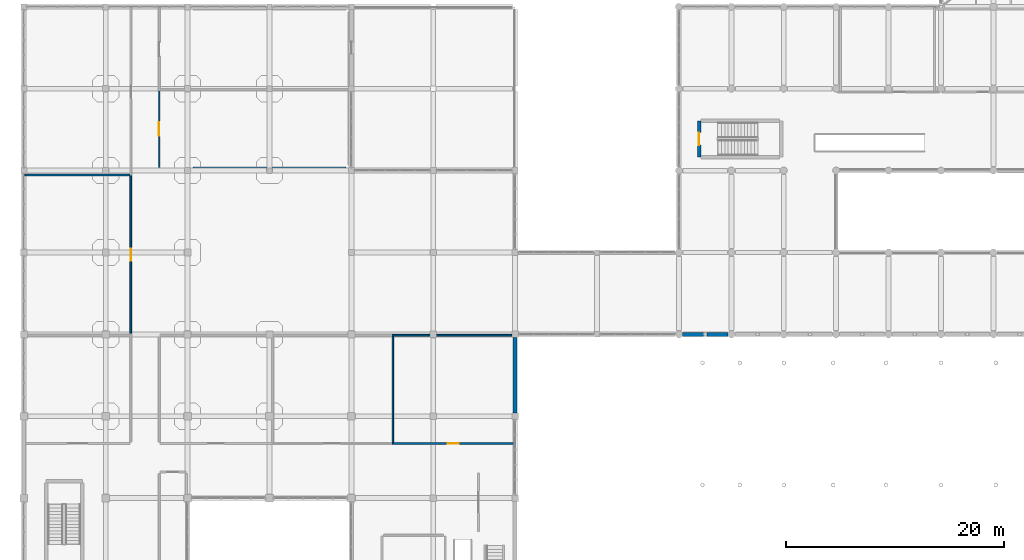
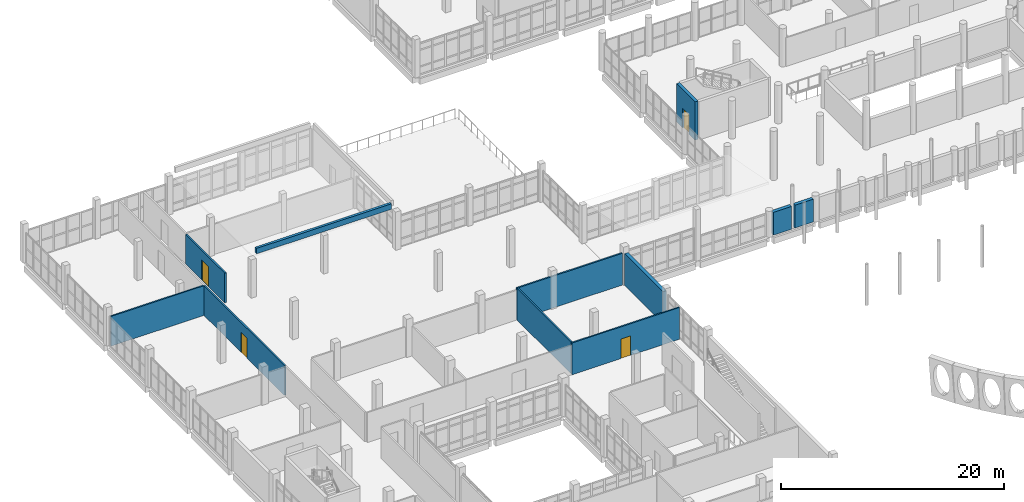
# One storey, part 140 of 164: 11 walls, 4 doors, 4 openings.
"""IFC4 building model written with IfcOpenShell, lengths in metres."""

from ifc_helpers import new_model, si_unit, direction, frame, frame_2d, origin, place, context, subcontext, project, spatial, rectangle, extrude, material, layer, layer_set, type_object, element, fill, save


model = new_model("IFC4")

# Units and contexts
model_context = context("Model", 3, precision=1e-05, world=origin(), true_north=direction((0.0, 1.0)))
body_context = subcontext(model_context, "Body", "Model", "MODEL_VIEW")
ifc_project = project(units=[si_unit("LENGTHUNIT", "METRE"), si_unit("AREAUNIT", "SQUARE_METRE"), si_unit("VOLUMEUNIT", "CUBIC_METRE"), si_unit("PLANEANGLEUNIT", "RADIAN"), si_unit("MASSUNIT", "GRAM", prefix="KILO")], contexts=[model_context])

# Site, building, storey
site_placement = place(None, origin())
site = spatial("IfcSite", under=ifc_project, at=site_placement, CompositionType="ELEMENT")
building_placement = place(site_placement, origin())
building = spatial("IfcBuilding", under=site, at=building_placement, Name="Mawjan Specialist Oncology Clinic", CompositionType="ELEMENT")
storey_placement = place(building_placement, frame((0.0, 0.0, 5.0)))
storey = spatial("IfcBuildingStorey", under=building, at=storey_placement, Name="L01", CompositionType="ELEMENT", Elevation=5.0)

# Walls
ifc_material_1 = material(Name="Precast concrete C40/50", Category="concrete")
ifc_layer_1 = layer(ifc_material_1, 0.35009765625, Name="Precast concrete C40/50", Category="concrete")
ifc_layer_set_1 = layer_set([ifc_layer_1], Name="Precast concrete C40/50")
wall_type_1 = type_object("IfcWallType", Name="EW-350", PredefinedType="SOLIDWALL", material=ifc_layer_set_1)
for number, where, z_axis, x_axis, name in (
    (1, (64.47509765625, 45.800048828125, 0.0), (0.0, 0.0, 1.0), (-1.0, 0.0, 0.0), "L01 Coral-Limestone Exterior Wall EW-L01-109"),
    (2, (62.238037109375, 45.800048828125, 0.0), (0.0, 0.0, 1.0), (-1.0, 0.0, 0.0), "L01 Coral-Limestone Exterior Wall EW-L01-110"),
):
    element("IfcWall", number, at=place(storey_placement, frame(where, z_axis=z_axis, x_axis=x_axis)), inside=storey, type_object=wall_type_1, Name=name, PredefinedType="SOLIDWALL", context=body_context, shape_type="SweptSolid", body=[
        extrude(rectangle(XDim=1.9130859375, YDim=0.35009765625, at=frame_2d((0.95654296875, 0.0))), origin(), (0.0, 0.0, 1.0), 2.5),
    ])
wall_1_placement = place(storey_placement, frame((45.0, 45.5, 0.0), z_axis=(0.0, 0.0, 1.0), x_axis=(0.0, -1.0, 0.0)))
element("IfcWall", 3, at=wall_1_placement, inside=storey, type_object=wall_type_1, Name="L01 Coral-Limestone Exterior Wall EW-L01-111", PredefinedType="SOLIDWALL", context=body_context, shape_type="SweptSolid", body=[
    extrude(rectangle(XDim=6.89990234375, YDim=0.35009765625, at=frame_2d((3.449951171875, 0.0))), origin(), (0.0, 0.0, 1.0), 3.485107421875),
])
ifc_material_2 = material(Name="Precast concrete C40/50", Category="concrete")
ifc_layer_2 = layer(ifc_material_2, 0.260009765625, Name="Precast concrete C40/50", Category="concrete")
ifc_layer_set_2 = layer_set([ifc_layer_2], Name="Precast concrete C40/50")
wall_type_2 = type_object("IfcWallType", Name="PAR-260", PredefinedType="PARAPET", material=ifc_layer_set_2)
wall_2_placement = place(storey_placement, frame((29.52001953125, 61.0, 4.39990234375), z_axis=(0.0, 0.0, 1.0), x_axis=(-1.0, 0.0, 0.0)))
element("IfcWall", 4, at=wall_2_placement, inside=storey, type_object=wall_type_2, Name="L01 Roof Parapet Upstand 13", PredefinedType="PARAPET", context=body_context, shape_type="SweptSolid", body=[
    extrude(rectangle(XDim=14.02001953125, YDim=0.260009765625, at=frame_2d((7.010009765625, 0.0))), origin(), (0.0, 0.0, 1.0), 0.60009765625),
])

# Wall, opening, door
ifc_material_3 = material(Name="Concrete C45/55", Category="concrete")
ifc_layer_3 = layer(ifc_material_3, 0.320068359375, Name="Concrete C45/55", Category="concrete")
ifc_layer_set_3 = layer_set([ifc_layer_3], Name="Concrete C45/55")
wall_type_3 = type_object("IfcWallType", Name="SW-350", PredefinedType="SHEAR", material=ifc_layer_set_3)
wall_3_placement = place(storey_placement, frame((61.840087890625, 65.360107421875, 0.0), z_axis=(0.0, 0.0, 1.0), x_axis=(0.0, -1.0, 0.0)))
wall_3 = element("IfcWall", 5, at=wall_3_placement, inside=storey, type_object=wall_type_3, Name="L01 Core K7 Stair Shear Wall 4", PredefinedType="SHEAR", context=body_context, shape_type="SweptSolid", body=[
    extrude(rectangle(XDim=3.320068359375, YDim=0.320068359375, at=frame_2d((1.66015625, 0.0))), origin(), (0.0, 0.0, 1.0), 4.199951171875),
])
opening_1_placement = place(wall_3_placement, frame((1.0849609375, 0.0, 0.0)))
opening_1 = element("IfcOpeningElement", 6, at=opening_1_placement, cuts=wall_3, Name="Opening FD-90", PredefinedType="OPENING", context=body_context, shape_type="SweptSolid", body=[
    extrude(rectangle(XDim=1.14990234375, YDim=2.14990234375, at=frame_2d((0.574951171875, 1.074951171875))), frame((0.0, 0.172119140625, 0.0), z_axis=(0.0, -1.0, 0.0), x_axis=(1.0, 0.0, 0.0)), (0.0, 0.0, 1.0), 0.343994140625),
])
ifc_material_4 = material(Name="Stainless-steel fire-rated hospital door", Category="steel")
door_type_1 = type_object("IfcDoorType", Name="FD-90", OperationType="NOTDEFINED", PredefinedType="DOOR", material=ifc_material_4)
door_1_placement = place(opening_1_placement, origin())
door_1 = element("IfcDoor", 7, at=door_1_placement, inside=storey, type_object=door_type_1, Name="L01 ST-07 Fire Exit Stair Door", OperationType="SINGLE_SWING_RIGHT", OverallHeight=2.14990234375, OverallWidth=1.14990234375, PredefinedType="DOOR", context=body_context, shape_type="SweptSolid", body=[
    extrude(rectangle(XDim=1.14990234375, YDim=2.14990234375, at=frame_2d((0.574951171875, 1.074951171875))), frame((0.0, 0.02490234375, 0.0), z_axis=(0.0, -1.0, 0.0), x_axis=(1.0, 0.0, 0.0)), (0.0, 0.0, 1.0), 0.050048828125),
])
fill(opening_1, door_1)

ifc_material_5 = material(Name="Acoustic gypsum clinical partition", Category="gypsum")
ifc_layer_4 = layer(ifc_material_5, 0.14990234375, Name="Acoustic gypsum clinical partition", Category="gypsum")
ifc_layer_set_4 = layer_set([ifc_layer_4], Name="Acoustic gypsum clinical partition")
wall_type_4 = type_object("IfcWallType", Name="WP-150", PredefinedType="PARTITIONING", material=ifc_layer_set_4)
wall_4_placement = place(storey_placement, frame((33.72705078125, 35.800048828125, 0.0), z_axis=(0.0, 0.0, 1.0), x_axis=(1.0, 0.0, 0.0)))
wall_4 = element("IfcWall", 8, at=wall_4_placement, inside=storey, type_object=wall_type_4, Name="L01 Interior Partition W-INT-L01-108-C", PredefinedType="PARTITIONING", context=body_context, shape_type="SweptSolid", body=[
    extrude(rectangle(XDim=11.1708984375, YDim=0.14990234375, at=frame_2d((5.58544921875, 0.0))), origin(), (0.0, 0.0, 1.0), 3.485107421875),
])
opening_2_placement = place(wall_4_placement, frame((5.08544921875, 0.0, 0.0)))
opening_2 = element("IfcOpeningElement", 9, at=opening_2_placement, cuts=wall_4, Name="Opening DI-100", PredefinedType="OPENING", context=body_context, shape_type="SweptSolid", body=[
    extrude(rectangle(XDim=1.0, YDim=2.14990234375, at=frame_2d((0.5, 1.074951171875))), frame((0.0, 0.0869140625, 0.0), z_axis=(0.0, -1.0, 0.0), x_axis=(1.0, 0.0, 0.0)), (0.0, 0.0, 1.0), 0.173828125),
])
ifc_material_6 = material(Name="Acoustic laminate hospital door leaf", Category="wood")
door_type_2 = type_object("IfcDoorType", Name="DI-100", OperationType="NOTDEFINED", PredefinedType="DOOR", material=ifc_material_6)
door_2_placement = place(opening_2_placement, origin())
door_2 = element("IfcDoor", 10, at=door_2_placement, inside=storey, type_object=door_type_2, Name="L01 Outpatient Sub-Waiting Lounge Door", OperationType="SINGLE_SWING_LEFT", OverallHeight=2.14990234375, OverallWidth=1.0, PredefinedType="DOOR", context=body_context, shape_type="SweptSolid", body=[
    extrude(rectangle(XDim=1.0, YDim=2.14990234375, at=frame_2d((0.5, 1.074951171875))), frame((0.0, 0.02490234375, 0.0), z_axis=(0.0, -1.0, 0.0), x_axis=(1.0, 0.0, 0.0)), (0.0, 0.0, 1.0), 0.050048828125),
])
fill(opening_2, door_2)

# Walls
wall_5_placement = place(storey_placement, frame((33.800048828125, 35.886962890625, 0.0), z_axis=(0.0, 0.0, 1.0), x_axis=(0.0, 1.0, 0.0)))
element("IfcWall", 11, at=wall_5_placement, inside=storey, type_object=wall_type_4, Name="L01 Interior Partition W-INT-L01-107-D", PredefinedType="PARTITIONING", context=body_context, shape_type="SweptSolid", body=[
    extrude(rectangle(XDim=9.740966796875, YDim=0.14990234375, at=frame_2d((4.87060546875, 0.0))), origin(), (0.0, 0.0, 1.0), 3.485107421875),
])
wall_6_placement = place(storey_placement, frame((0.10205078125, 60.39990234375, 0.0), z_axis=(0.0, 0.0, 1.0), x_axis=(1.0, 0.0, 0.0)))
element("IfcWall", 12, at=wall_6_placement, inside=storey, type_object=wall_type_4, Name="L01 Interior Partition W-INT-L01-111-H", PredefinedType="PARTITIONING", context=body_context, shape_type="SweptSolid", body=[
    extrude(rectangle(XDim=9.61083984375, YDim=0.14990234375, at=frame_2d((4.805419921875, 0.0))), origin(), (0.0, 0.0, 1.0), 3.264892578125),
])

# Wall, opening, door
ifc_material_7 = material(Name="Acoustic clinical twin-stud partition", Category="gypsum")
ifc_layer_5 = layer(ifc_material_7, 0.159912109375, Name="Acoustic clinical twin-stud partition", Category="gypsum")
ifc_layer_set_5 = layer_set([ifc_layer_5], Name="Acoustic clinical twin-stud partition")
wall_type_5 = type_object("IfcWallType", Name="WP-160", PredefinedType="PARTITIONING", material=ifc_layer_set_5)
wall_7_placement = place(storey_placement, frame((9.800048828125, 45.885009765625, 0.0), z_axis=(0.0, 0.0, 1.0), x_axis=(0.0, 1.0, 0.0)))
wall_7 = element("IfcWall", 13, at=wall_7_placement, inside=storey, type_object=wall_type_5, Name="L01 Interior Partition W-INT-L01-111-V", PredefinedType="PARTITIONING", context=body_context, shape_type="SweptSolid", body=[
    extrude(rectangle(XDim=14.429931640625, YDim=0.159912109375, at=frame_2d((7.21484375, 0.0))), origin(), (0.0, 0.0, 1.0), 3.264892578125),
])
opening_3_placement = place(wall_7_placement, frame((6.675048828125, 0.0, 0.0)))
opening_3 = element("IfcOpeningElement", 14, at=opening_3_placement, cuts=wall_7, Name="Opening DI-108", PredefinedType="OPENING", context=body_context, shape_type="SweptSolid", body=[
    extrude(rectangle(XDim=1.080078125, YDim=2.179931640625, at=frame_2d((0.5400390625, 1.08984375))), frame((0.0, 0.092041015625, 0.0), z_axis=(0.0, -1.0, 0.0), x_axis=(1.0, 0.0, 0.0)), (0.0, 0.0, 1.0), 0.183837890625),
])
ifc_material_8 = material(Name="Acoustic laminate hospital door leaf", Category="wood")
door_type_3 = type_object("IfcDoorType", Name="DI-108", OperationType="NOTDEFINED", PredefinedType="DOOR", material=ifc_material_8)
door_3_placement = place(opening_3_placement, origin())
door_3 = element("IfcDoor", 15, at=door_3_placement, inside=storey, type_object=door_type_3, Name="L01 Pulmonary Function Testing Suite Door", OperationType="SINGLE_SWING_LEFT", OverallHeight=2.179931640625, OverallWidth=1.080078125, PredefinedType="DOOR", context=body_context, shape_type="SweptSolid", body=[
    extrude(rectangle(XDim=1.080078125, YDim=2.179931640625, at=frame_2d((0.5400390625, 1.08984375))), frame((0.0, 0.02490234375, 0.0), z_axis=(0.0, -1.0, 0.0), x_axis=(1.0, 0.0, 0.0)), (0.0, 0.0, 1.0), 0.050048828125),
])
fill(opening_3, door_3)

wall_8_placement = place(storey_placement, frame((12.39990234375, 61.0849609375, 0.0), z_axis=(0.0, 0.0, 1.0), x_axis=(0.0, 1.0, 0.0)))
wall_8 = element("IfcWall", 16, at=wall_8_placement, inside=storey, type_object=wall_type_5, Name="L01 Interior Partition W-INT-L01-113-V", PredefinedType="PARTITIONING", context=body_context, shape_type="SweptSolid", body=[
    extrude(rectangle(XDim=7.030029296875, YDim=0.159912109375, at=frame_2d((3.51513671875, 0.0))), origin(), (0.0, 0.0, 1.0), 3.264892578125),
])
opening_4_placement = place(wall_8_placement, frame((2.89501953125, 0.0, 0.0)))
opening_4 = element("IfcOpeningElement", 17, at=opening_4_placement, cuts=wall_8, Name="Opening DC-124", PredefinedType="OPENING", context=body_context, shape_type="SweptSolid", body=[
    extrude(rectangle(XDim=1.239990234375, YDim=2.199951171875, at=frame_2d((0.6201171875, 1.10009765625))), frame((0.0, 0.092041015625, 0.0), z_axis=(0.0, -1.0, 0.0), x_axis=(1.0, 0.0, 0.0)), (0.0, 0.0, 1.0), 0.183837890625),
])
ifc_material_9 = material(Name="Acoustic laminate hospital door leaf", Category="wood")
door_type_4 = type_object("IfcDoorType", Name="DC-124", OperationType="NOTDEFINED", PredefinedType="DOOR", material=ifc_material_9)
door_4_placement = place(opening_4_placement, origin())
door_4 = element("IfcDoor", 18, at=door_4_placement, inside=storey, type_object=door_type_4, Name="L01 Allergy Immunology Clinic Door", OperationType="SINGLE_SWING_LEFT", OverallHeight=2.199951171875, OverallWidth=1.239990234375, PredefinedType="DOOR", context=body_context, shape_type="SweptSolid", body=[
    extrude(rectangle(XDim=1.239990234375, YDim=2.199951171875, at=frame_2d((0.6201171875, 1.10009765625))), frame((0.0, 0.02490234375, 0.0), z_axis=(0.0, -1.0, 0.0), x_axis=(1.0, 0.0, 0.0)), (0.0, 0.0, 1.0), 0.050048828125),
])
fill(opening_4, door_4)

# Wall
wall_9_placement = place(storey_placement, frame((33.72705078125, 45.719970703125, 0.0), z_axis=(0.0, 0.0, 1.0), x_axis=(1.0, 0.0, 0.0)))
element("IfcWall", 19, at=wall_9_placement, inside=storey, type_object=wall_type_5, Name="L01 Interior Partition W-INT-L01-108-R", PredefinedType="PARTITIONING", context=body_context, shape_type="SweptSolid", body=[
    extrude(rectangle(XDim=10.9609375, YDim=0.159912109375, at=frame_2d((5.48046875, 0.0))), origin(), (0.0, 0.0, 1.0), 3.485107421875),
])

save(model, "model.ifc")
